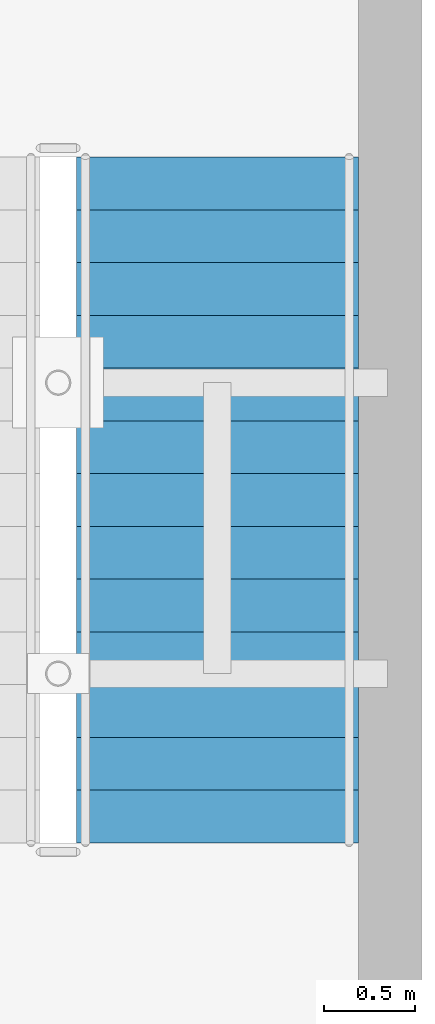
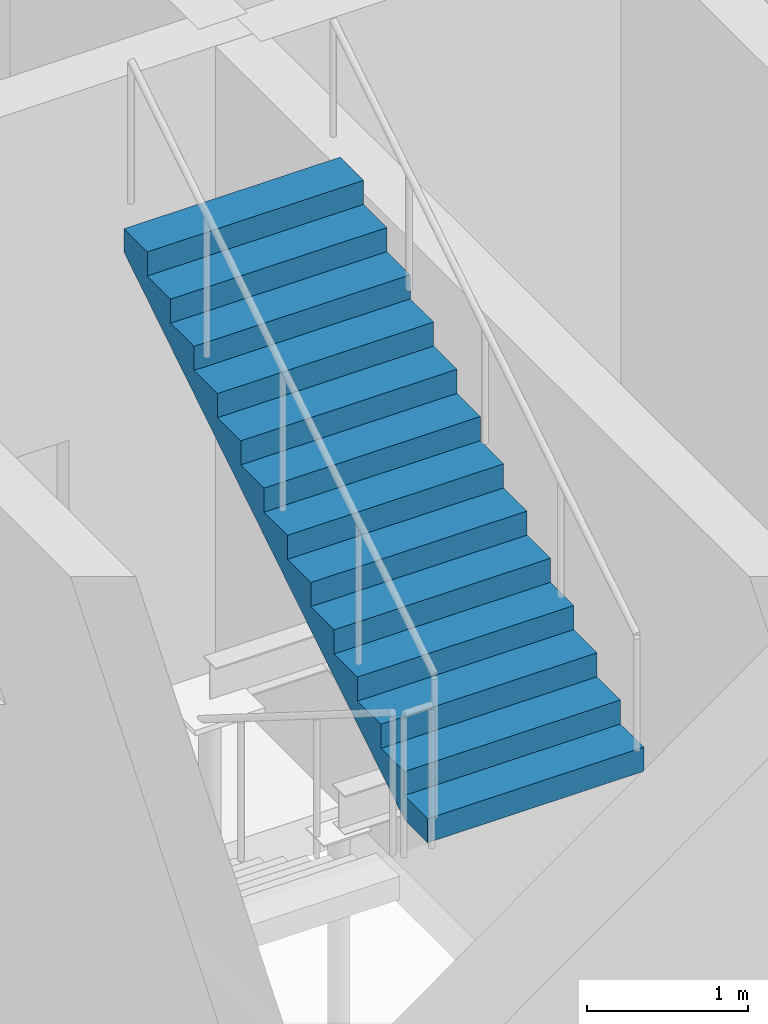
# One storey, part 72 of 80: 1 stair flight, 1 element without a shape of its own.
"""IFC4 building model written with IfcOpenShell, lengths in metres."""

from ifc_helpers import new_model, si_unit, direction, frame, origin, place, context, subcontext, project, spatial, polyline, outline, extrude, material, type_object, element, aggregate, save


model = new_model("IFC4")

# Units and contexts
model_context = context("Model", 3, precision=1e-05, world=origin(), true_north=direction((0.0, 1.0)))
body_context = subcontext(model_context, "Body", "Model", "MODEL_VIEW")
ifc_project = project(units=[si_unit("LENGTHUNIT", "METRE"), si_unit("AREAUNIT", "SQUARE_METRE"), si_unit("VOLUMEUNIT", "CUBIC_METRE"), si_unit("PLANEANGLEUNIT", "RADIAN"), si_unit("MASSUNIT", "GRAM", prefix="KILO")], contexts=[model_context])

# Site, building, storey
site_placement = place(None, origin())
site = spatial("IfcSite", under=ifc_project, at=site_placement, CompositionType="ELEMENT")
building_placement = place(site_placement, origin())
building = spatial("IfcBuilding", under=site, at=building_placement, Name="Krzemoval Escarpment Law Courts", CompositionType="ELEMENT")
storey_placement = place(building_placement, origin())
storey = spatial("IfcBuildingStorey", under=building, at=storey_placement, Name="L00", CompositionType="ELEMENT", Elevation=0.0)

# Stair, stair flight
ifc_material_1 = material(Name="Concrete C40/50", Category="concrete")
stair_type = type_object("IfcStairType", Name="STR-CORE-1550", PredefinedType="HALF_TURN_STAIR", material=ifc_material_1)
stair_placement = place(storey_placement, origin())
stair = element("IfcStair", 1, at=stair_placement, inside=storey, type_object=stair_type, Name="L00 ST3", PredefinedType="HALF_TURN_STAIR")
ifc_material_2 = material(Name="Concrete C40/50", Category="concrete")
stair_flight_type = type_object("IfcStairFlightType", Name="STF-CORE-1550", PredefinedType="STRAIGHT", material=ifc_material_2)
stair_flight_placement = place(storey_placement, frame((146.425048828125, 97.929931640625, 2.550048828125), z_axis=(0.0, 0.0, 1.0), x_axis=(0.0, 1.0, 0.0)))
stair_flight = element("IfcStairFlight", 2, at=stair_flight_placement, type_object=stair_flight_type, Name="ST3 flight 2", NumberOfRisers=14, NumberOfTreads=13, PredefinedType="STRAIGHT", RiserHeight=0.182142857, TreadLength=0.29, context=body_context, shape_type="SweptSolid", body=[
    extrude(outline(polyline([(0.0, 0.0), (0.0, 0.18212890625), (0.2900390625, 0.18212890625), (0.2900390625, 0.3642578125), (0.580078125, 0.3642578125), (0.580078125, 0.54638671875), (0.8701171875, 0.54638671875), (0.8701171875, 0.728515625), (1.159912109375, 0.728515625), (1.159912109375, 0.91064453125), (1.449951171875, 0.91064453125), (1.449951171875, 1.0927734375), (1.739990234375, 1.0927734375), (1.739990234375, 1.27490234375), (2.030029296875, 1.27490234375), (2.030029296875, 1.45703125), (2.320068359375, 1.45703125), (2.320068359375, 1.639404296875), (2.610107421875, 1.639404296875), (2.610107421875, 1.821533203125), (2.89990234375, 1.821533203125), (2.89990234375, 2.003662109375), (3.18994140625, 2.003662109375), (3.18994140625, 2.185791015625), (3.47998046875, 2.185791015625), (3.47998046875, 2.367919921875), (3.77001953125, 2.367919921875), (3.77001953125, 2.550048828125), (3.77001953125, 2.19091796875), (0.28173828125, 0.0), (0.0, 0.0)])), frame((0.0, 0.77490234375, 0.0), z_axis=(0.0, -1.0, 0.0), x_axis=(1.0, 0.0, 0.0)), (0.0, 0.0, 1.0), 1.550048828125),
])
aggregate(stair, [stair_flight])

save(model, "model.ifc")
